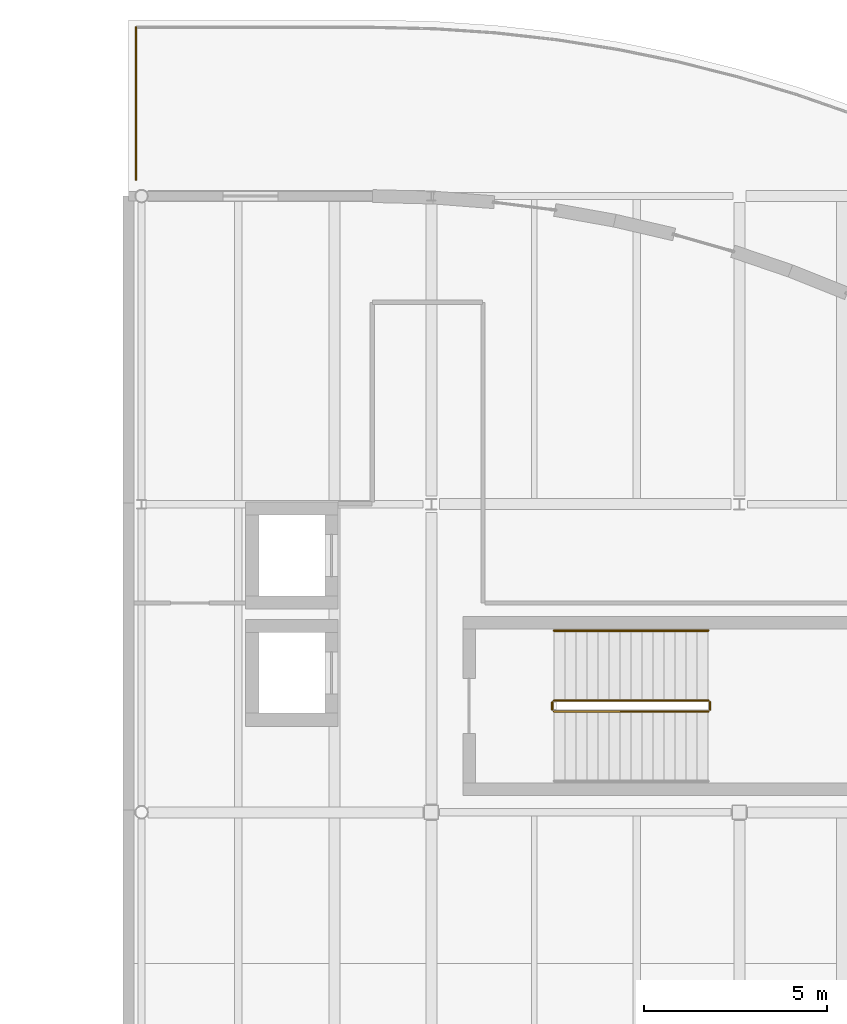
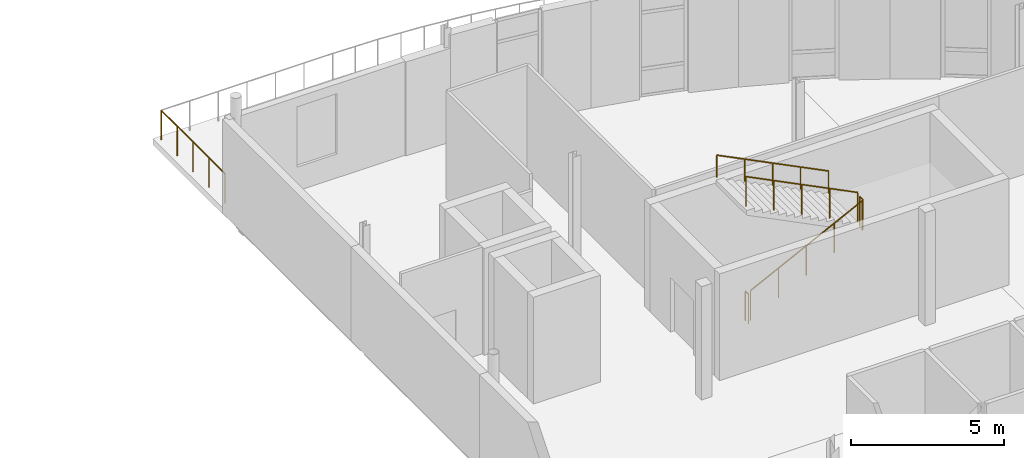
# One storey, part 39 of 40: 6 railings.
"""IFC4 building model written with IfcOpenShell, lengths in metres."""

from ifc_helpers import new_model, si_unit, direction, frame, origin, origin_2d, place, context, subcontext, project, spatial, circle, extrude, material, type_object, element, save


model = new_model("IFC4")

# Units and contexts
model_context = context("Model", 3, precision=1e-05, world=origin(), true_north=direction((0.0, 1.0)))
body_context = subcontext(model_context, "Body", "Model", "MODEL_VIEW")
ifc_project = project(units=[si_unit("LENGTHUNIT", "METRE"), si_unit("AREAUNIT", "SQUARE_METRE"), si_unit("VOLUMEUNIT", "CUBIC_METRE"), si_unit("PLANEANGLEUNIT", "RADIAN"), si_unit("MASSUNIT", "GRAM", prefix="KILO"), si_unit("THERMODYNAMICTEMPERATUREUNIT", "KELVIN")], contexts=[model_context])

# Site, building, storey
site_placement = place(None, origin())
site = spatial("IfcSite", under=ifc_project, at=site_placement, CompositionType="ELEMENT")
building_placement = place(site_placement, origin())
building = spatial("IfcBuilding", under=site, at=building_placement, Name="Lustrewick Department Store", CompositionType="ELEMENT")
storey_placement = place(building_placement, frame((0.0, 0.0, 31.800048828125)))
storey = spatial("IfcBuildingStorey", under=building, at=storey_placement, Name="L07", CompositionType="ELEMENT", Elevation=31.800048828125)

# Railings
ifc_material_1 = material(Name="Laminated glass and anodized aluminium guardrail", Category="aluminium")
railing_type_1 = type_object("IfcRailingType", Name="RL-EXT", PredefinedType="GUARDRAIL", material=ifc_material_1)
railing_1_placement = place(storey_placement, frame((109.550048828125, 92.85009765625, 0.0)))
element("IfcRailing", 1, at=railing_1_placement, inside=storey, type_object=railing_type_1, Name="L07 Terrace Perimeter Guardrail 0019", PredefinedType="GUARDRAIL", context=body_context, shape_type="SweptSolid", body=[
    extrude(circle(Radius=0.02392578125, at=origin_2d()), frame((0.0, 0.0, 1.17578125), z_axis=(0.0, 1.0, 0.0), x_axis=(-1.0, 0.0, 0.0)), (0.0, 0.0, 1.0), 4.14990234375),
    extrude(circle(Radius=0.02099609375, at=origin_2d()), origin(), (0.0, 0.0, 1.0), 1.15185546875),
    extrude(circle(Radius=0.02099609375, at=origin_2d()), frame((0.0, 1.03759765625, 0.0)), (0.0, 0.0, 1.0), 1.15185546875),
    extrude(circle(Radius=0.02099609375, at=origin_2d()), frame((0.0, 2.074951171875, 0.0)), (0.0, 0.0, 1.0), 1.15185546875),
    extrude(circle(Radius=0.02099609375, at=origin_2d()), frame((0.0, 3.1123046875, 0.0)), (0.0, 0.0, 1.0), 1.15185546875),
    extrude(circle(Radius=0.02099609375, at=origin_2d()), frame((0.0, 4.14990234375, 0.0)), (0.0, 0.0, 1.0), 1.15185546875),
])
ifc_material_2 = material(Name="Painted tubular steel stairwell guardrail", Category="steel")
railing_type_2 = type_object("IfcRailingType", Name="RL-STG", PredefinedType="GUARDRAIL", material=ifc_material_2)
railing_2_placement = place(storey_placement, frame((120.949951171875, 78.35009765625, 0.14990234375)))
element("IfcRailing", 2, at=railing_2_placement, inside=storey, type_object=railing_type_2, Name="L07 ST10 Stair Guard 1", PredefinedType="GUARDRAIL", context=body_context, shape_type="SweptSolid", body=[
    extrude(circle(Radius=0.02392578125, at=origin_2d()), frame((0.0, 0.0, 1.17578125), z_axis=(0.894416792377, 0.0, 0.447234392142), x_axis=(0.0, 1.0, 0.0)), (0.0, 0.0, 1.0), 4.69580078125),
    extrude(circle(Radius=0.02099609375, at=origin_2d()), origin(), (0.0, 0.0, 1.0), 1.15185546875),
    extrude(circle(Radius=0.02099609375, at=origin_2d()), frame((1.050048828125, 0.0, 0.52490234375)), (0.0, 0.0, 1.0), 1.15185546875),
    extrude(circle(Radius=0.02099609375, at=origin_2d()), frame((2.10009765625, 0.0, 1.050048828125)), (0.0, 0.0, 1.0), 1.15185546875),
    extrude(circle(Radius=0.02099609375, at=origin_2d()), frame((3.14990234375, 0.0, 1.5751953125)), (0.0, 0.0, 1.0), 1.15185546875),
    extrude(circle(Radius=0.02099609375, at=origin_2d()), frame((4.199951171875, 0.0, 2.10009765625)), (0.0, 0.0, 1.0), 1.15185546875),
])
railing_3_placement = place(storey_placement, frame((125.199951171875, 78.39990234375, 2.25)))
element("IfcRailing", 3, at=railing_3_placement, inside=storey, type_object=railing_type_2, Name="L07 ST10 Stair Guard 2", PredefinedType="GUARDRAIL", context=body_context, shape_type="SweptSolid", body=[
    extrude(circle(Radius=0.02392578125, at=origin_2d()), frame((0.0, 0.0, 1.17578125), z_axis=(0.0, 1.0, 0.0), x_axis=(-1.0, 0.0, 0.0)), (0.0, 0.0, 1.0), 0.2001953125),
    extrude(circle(Radius=0.02099609375, at=origin_2d()), origin(), (0.0, 0.0, 1.0), 1.15185546875),
    extrude(circle(Radius=0.02099609375, at=origin_2d()), frame((0.0, 0.2001953125, 0.0)), (0.0, 0.0, 1.0), 1.15185546875),
])
railing_4_placement = place(storey_placement, frame((125.14990234375, 78.64990234375, 2.39990234375)))
element("IfcRailing", 4, at=railing_4_placement, inside=storey, type_object=railing_type_2, Name="L07 ST10 Stair Guard 3", PredefinedType="GUARDRAIL", context=body_context, shape_type="SweptSolid", body=[
    extrude(circle(Radius=0.02392578125, at=origin_2d()), frame((0.0, 0.0, 1.17578125), z_axis=(-0.894416792377, 0.0, 0.447234392142), x_axis=(0.0, -1.0, 0.0)), (0.0, 0.0, 1.0), 4.69580078125),
    extrude(circle(Radius=0.02099609375, at=origin_2d()), origin(), (0.0, 0.0, 1.0), 1.15185546875),
    extrude(circle(Radius=0.02099609375, at=origin_2d()), frame((-1.050048828125, 0.0, 0.52490234375)), (0.0, 0.0, 1.0), 1.15185546875),
    extrude(circle(Radius=0.02099609375, at=origin_2d()), frame((-2.10009765625, 0.0, 1.050048828125)), (0.0, 0.0, 1.0), 1.15185546875),
    extrude(circle(Radius=0.02099609375, at=origin_2d()), frame((-3.14990234375, 0.0, 1.5751953125)), (0.0, 0.0, 1.0), 1.15185546875),
    extrude(circle(Radius=0.02099609375, at=origin_2d()), frame((-4.199951171875, 0.0, 2.10009765625)), (0.0, 0.0, 1.0), 1.15185546875),
])
railing_5_placement = place(storey_placement, frame((120.89990234375, 78.39990234375, 0.0)))
element("IfcRailing", 5, at=railing_5_placement, inside=storey, type_object=railing_type_2, Name="L07 ST10 Stair Guard 4", PredefinedType="GUARDRAIL", context=body_context, shape_type="SweptSolid", body=[
    extrude(circle(Radius=0.02392578125, at=origin_2d()), frame((0.0, 0.0, 1.17578125), z_axis=(0.0, 1.0, 0.0), x_axis=(-1.0, 0.0, 0.0)), (0.0, 0.0, 1.0), 0.2001953125),
    extrude(circle(Radius=0.02099609375, at=origin_2d()), origin(), (0.0, 0.0, 1.0), 1.15185546875),
    extrude(circle(Radius=0.02099609375, at=origin_2d()), frame((0.0, 0.2001953125, 0.0)), (0.0, 0.0, 1.0), 1.15185546875),
])
ifc_material_3 = material(Name="Brushed stainless steel wall handrail", Category="steel")
railing_type_3 = type_object("IfcRailingType", Name="RL-STH", PredefinedType="HANDRAIL", material=ifc_material_3)
railing_6_placement = place(storey_placement, frame((125.14990234375, 80.550048828125, 2.39990234375)))
element("IfcRailing", 6, at=railing_6_placement, inside=storey, type_object=railing_type_3, Name="L07 ST10 Stair Handrail 2", PredefinedType="HANDRAIL", context=body_context, shape_type="SweptSolid", body=[
    extrude(circle(Radius=0.02392578125, at=origin_2d()), frame((0.0, 0.0, 0.8759765625), z_axis=(-0.894416792377, 0.0, 0.447234392142), x_axis=(0.0, -1.0, 0.0)), (0.0, 0.0, 1.0), 4.69580078125),
    extrude(circle(Radius=0.02099609375, at=origin_2d()), origin(), (0.0, 0.0, 1.0), 0.851806640625),
    extrude(circle(Radius=0.02099609375, at=origin_2d()), frame((-1.050048828125, 0.0, 0.52490234375)), (0.0, 0.0, 1.0), 0.851806640625),
    extrude(circle(Radius=0.02099609375, at=origin_2d()), frame((-2.10009765625, 0.0, 1.050048828125)), (0.0, 0.0, 1.0), 0.851806640625),
    extrude(circle(Radius=0.02099609375, at=origin_2d()), frame((-3.14990234375, 0.0, 1.5751953125)), (0.0, 0.0, 1.0), 0.851806640625),
    extrude(circle(Radius=0.02099609375, at=origin_2d()), frame((-4.199951171875, 0.0, 2.10009765625)), (0.0, 0.0, 1.0), 0.851806640625),
])

save(model, "model.ifc")
